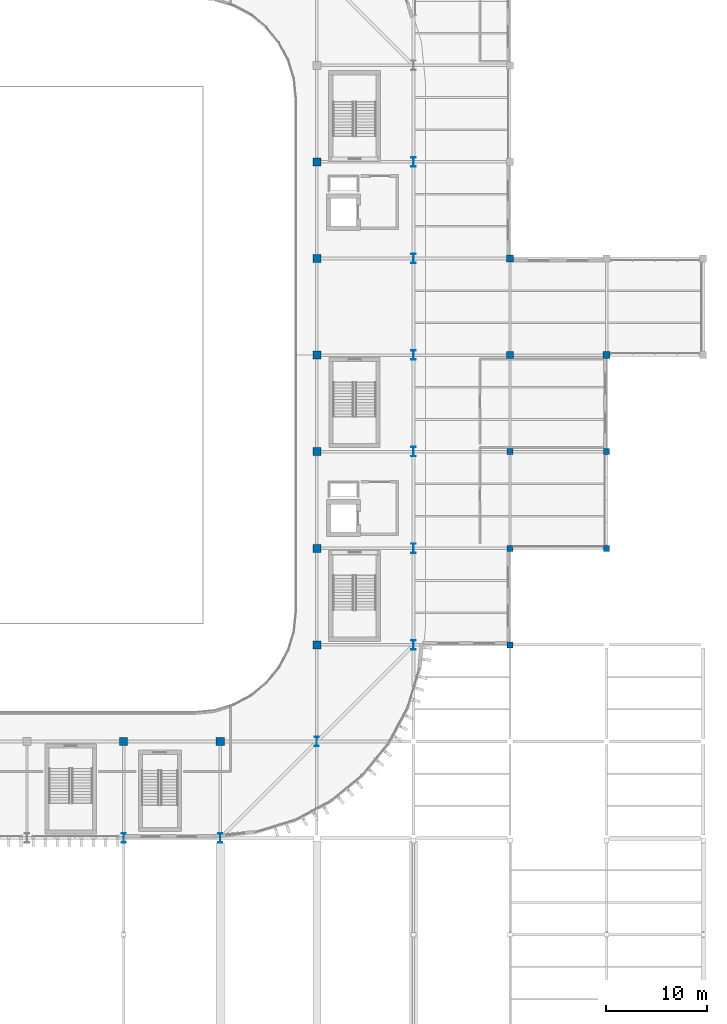
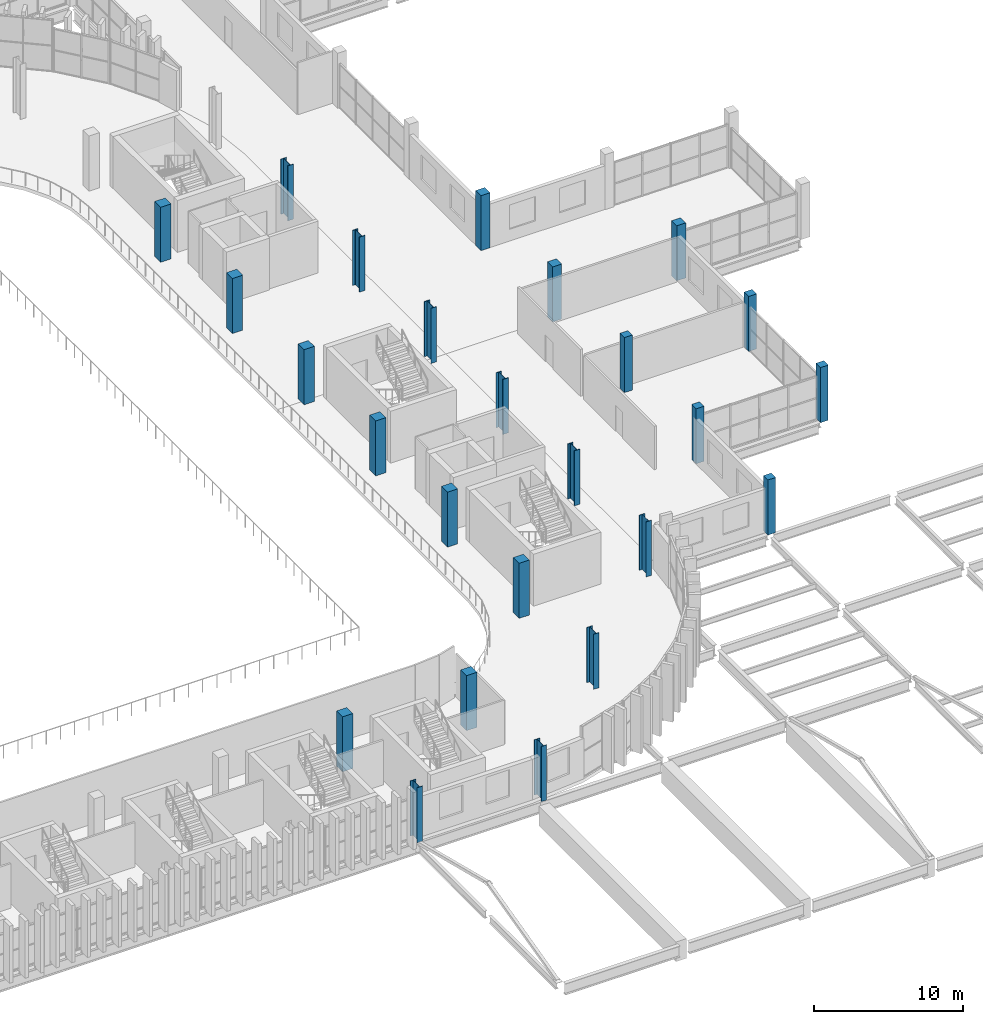
# One storey, part 3 of 75: 25 columns.
"""IFC4 building model written with IfcOpenShell, lengths in metres."""

from ifc_helpers import new_model, si_unit, direction, frame, origin, origin_2d, place, context, subcontext, project, spatial, rectangle, i_section, extrude, material, material_profile, profile_set, type_object, element, save


model = new_model("IFC4")

# Units and contexts
model_context = context("Model", 3, precision=1e-05, world=origin(), true_north=direction((0.0, 1.0)))
body_context = subcontext(model_context, "Body", "Model", "MODEL_VIEW")
ifc_project = project(units=[si_unit("LENGTHUNIT", "METRE"), si_unit("AREAUNIT", "SQUARE_METRE"), si_unit("VOLUMEUNIT", "CUBIC_METRE"), si_unit("PLANEANGLEUNIT", "RADIAN"), si_unit("MASSUNIT", "GRAM", prefix="KILO")], contexts=[model_context])

# Site, building, storey
site_placement = place(None, origin())
site = spatial("IfcSite", under=ifc_project, at=site_placement, CompositionType="ELEMENT")
building_placement = place(site_placement, origin())
building = spatial("IfcBuilding", under=site, at=building_placement, Name="Caelomonte Colonnade Arena", CompositionType="ELEMENT")
storey_placement = place(building_placement, frame((0.0, 0.0, 14.10009765625)))
storey = spatial("IfcBuildingStorey", under=building, at=storey_placement, Name="L03", CompositionType="ELEMENT", Elevation=14.10009765625)

# Columns
ifc_material_1 = material(Name="Concrete C40/50", Category="concrete")
ifc_material_profile_1 = material_profile(ifc_material_1, rectangle(XDim=0.60009765625, YDim=0.60009765625, at=origin_2d()), Name="RC600X600")
ifc_profile_set_1 = profile_set([ifc_material_profile_1], Name="Concrete C40/50")
column_type_1 = type_object("IfcColumnType", Name="STR-COL-RC06", PredefinedType="COLUMN", material=ifc_profile_set_1)
for number, where, z_axis, x_axis, name in (
    (1, (172.800048828125, 38.39990234375, 0.0), (0.0, 0.0, 1.0), (1.0, 0.0, 0.0), "L03 column (172.8, 38.4)"),
    (2, (172.800048828125, 48.0, 0.0), (0.0, 0.0, 1.0), (1.0, 0.0, 0.0), "L03 column (172.8, 48.0)"),
    (3, (172.800048828125, 57.60009765625, 0.0), (0.0, 0.0, 1.0), (1.0, 0.0, 0.0), "L03 column (172.8, 57.6)"),
    (4, (182.39990234375, 48.0, 0.0), (0.0, 0.0, 1.0), (1.0, 0.0, 0.0), "L03 column (182.4, 48.0)"),
    (5, (182.39990234375, 57.60009765625, 0.0), (0.0, 0.0, 1.0), (1.0, 0.0, 0.0), "L03 column (182.4, 57.6)"),
):
    element("IfcColumn", number, at=place(storey_placement, frame(where, z_axis=z_axis, x_axis=x_axis)), inside=storey, type_object=column_type_1, Name=name, PredefinedType="COLUMN", context=body_context, shape_type="SweptSolid", body=[
        extrude(rectangle(XDim=0.60009765625, YDim=0.60009765625, at=origin_2d()), origin(), (0.0, 0.0, 1.0), 4.5),
    ])
ifc_material_profile_2 = material_profile(ifc_material_1, rectangle(XDim=0.699951171875, YDim=0.699951171875, at=origin_2d()), Name="RC700X700")
ifc_profile_set_2 = profile_set([ifc_material_profile_2], Name="Concrete C40/50")
column_type_2 = type_object("IfcColumnType", Name="STR-COL-RC07", PredefinedType="COLUMN", material=ifc_profile_set_2)
for number, where, z_axis, x_axis, name in (
    (6, (172.800048828125, 67.199951171875, 0.0), (0.0, 0.0, 1.0), (1.0, 0.0, 0.0), "L03 column (172.8, 67.2)"),
    (7, (172.800048828125, 76.800048828125, 0.0), (0.0, 0.0, 1.0), (1.0, 0.0, 0.0), "L03 column (172.8, 76.8)"),
    (8, (182.39990234375, 67.199951171875, 0.0), (0.0, 0.0, 1.0), (1.0, 0.0, 0.0), "L03 column (182.4, 67.2)"),
):
    element("IfcColumn", number, at=place(storey_placement, frame(where, z_axis=z_axis, x_axis=x_axis)), inside=storey, type_object=column_type_2, Name=name, PredefinedType="COLUMN", context=body_context, shape_type="SweptSolid", body=[
        extrude(rectangle(XDim=0.699951171875, YDim=0.699951171875, at=origin_2d()), origin(), (0.0, 0.0, 1.0), 4.5),
    ])
ifc_material_profile_3 = material_profile(ifc_material_1, rectangle(XDim=0.800048828125, YDim=0.800048828125, at=origin_2d()), Name="RC800X800")
ifc_profile_set_3 = profile_set([ifc_material_profile_3], Name="Concrete C40/50")
column_type_3 = type_object("IfcColumnType", Name="STR-COL-RC08", PredefinedType="COLUMN", material=ifc_profile_set_3)
for number, where, z_axis, x_axis, name in (
    (9, (134.39990234375, 28.800048828125, 0.0), (0.0, 0.0, 1.0), (1.0, 0.0, 0.0), "L03 column (134.4, 28.8)"),
    (10, (144.0, 28.800048828125, 0.0), (0.0, 0.0, 1.0), (1.0, 0.0, 0.0), "L03 column (144.0, 28.8)"),
    (11, (153.60009765625, 38.39990234375, 0.0), (0.0, 0.0, 1.0), (1.0, 0.0, 0.0), "L03 column (153.6, 38.4)"),
    (12, (153.60009765625, 48.0, 0.0), (0.0, 0.0, 1.0), (1.0, 0.0, 0.0), "L03 column (153.6, 48.0)"),
    (13, (153.60009765625, 57.60009765625, 0.0), (0.0, 0.0, 1.0), (1.0, 0.0, 0.0), "L03 column (153.6, 57.6)"),
    (14, (153.60009765625, 67.199951171875, 0.0), (0.0, 0.0, 1.0), (1.0, 0.0, 0.0), "L03 column (153.6, 67.2)"),
    (15, (153.60009765625, 76.800048828125, 0.0), (0.0, 0.0, 1.0), (1.0, 0.0, 0.0), "L03 column (153.6, 76.8)"),
    (16, (153.60009765625, 86.39990234375, 0.0), (0.0, 0.0, 1.0), (1.0, 0.0, 0.0), "L03 column (153.6, 86.4)"),
):
    element("IfcColumn", number, at=place(storey_placement, frame(where, z_axis=z_axis, x_axis=x_axis)), inside=storey, type_object=column_type_3, Name=name, PredefinedType="COLUMN", context=body_context, shape_type="SweptSolid", body=[
        extrude(rectangle(XDim=0.800048828125, YDim=0.800048828125, at=origin_2d()), origin(), (0.0, 0.0, 1.0), 4.5),
    ])
ifc_material_2 = material(Name="Wide-flange steel ASTM A992 Grade 50", Category="steel")
ifc_material_profile_4 = material_profile(ifc_material_2, i_section(OverallWidth=0.423095703125, OverallDepth=0.947509765625, WebThickness=0.02392578125, FlangeThickness=0.042724609375, FilletRadius=0.024169921875, at=origin_2d()), Name="W36X302")
ifc_profile_set_4 = profile_set([ifc_material_profile_4], Name="Wide-flange steel ASTM A992 Grade 50")
column_type_4 = type_object("IfcColumnType", Name="STR-COL-W36A", PredefinedType="COLUMN", material=ifc_profile_set_4)
for number, where, z_axis, x_axis, name in (
    (17, (134.39990234375, 19.199951171875, 0.0), (0.0, 0.0, 1.0), (1.0, 0.0, 0.0), "L03 column (134.4, 19.2)"),
    (18, (144.0, 19.199951171875, 0.0), (0.0, 0.0, 1.0), (1.0, 0.0, 0.0), "L03 column (144.0, 19.2)"),
    (19, (153.60009765625, 28.800048828125, 0.0), (0.0, 0.0, 1.0), (1.0, 0.0, 0.0), "L03 column (153.6, 28.8)"),
    (20, (163.199951171875, 38.39990234375, 0.0), (0.0, 0.0, 1.0), (1.0, 0.0, 0.0), "L03 column (163.2, 38.4)"),
    (21, (163.199951171875, 48.0, 0.0), (0.0, 0.0, 1.0), (1.0, 0.0, 0.0), "L03 column (163.2, 48.0)"),
    (22, (163.199951171875, 57.60009765625, 0.0), (0.0, 0.0, 1.0), (1.0, 0.0, 0.0), "L03 column (163.2, 57.6)"),
    (23, (163.199951171875, 67.199951171875, 0.0), (0.0, 0.0, 1.0), (1.0, 0.0, 0.0), "L03 column (163.2, 67.2)"),
    (24, (163.199951171875, 76.800048828125, 0.0), (0.0, 0.0, 1.0), (1.0, 0.0, 0.0), "L03 column (163.2, 76.8)"),
    (25, (163.199951171875, 86.39990234375, 0.0), (0.0, 0.0, 1.0), (1.0, 0.0, 0.0), "L03 column (163.2, 86.4)"),
):
    element("IfcColumn", number, at=place(storey_placement, frame(where, z_axis=z_axis, x_axis=x_axis)), inside=storey, type_object=column_type_4, Name=name, PredefinedType="COLUMN", context=body_context, shape_type="SweptSolid", body=[
        extrude(i_section(OverallWidth=0.423095703125, OverallDepth=0.947509765625, WebThickness=0.02392578125, FlangeThickness=0.042724609375, FilletRadius=0.024169921875, at=origin_2d()), origin(), (0.0, 0.0, 1.0), 4.5),
    ])

save(model, "model.ifc")
